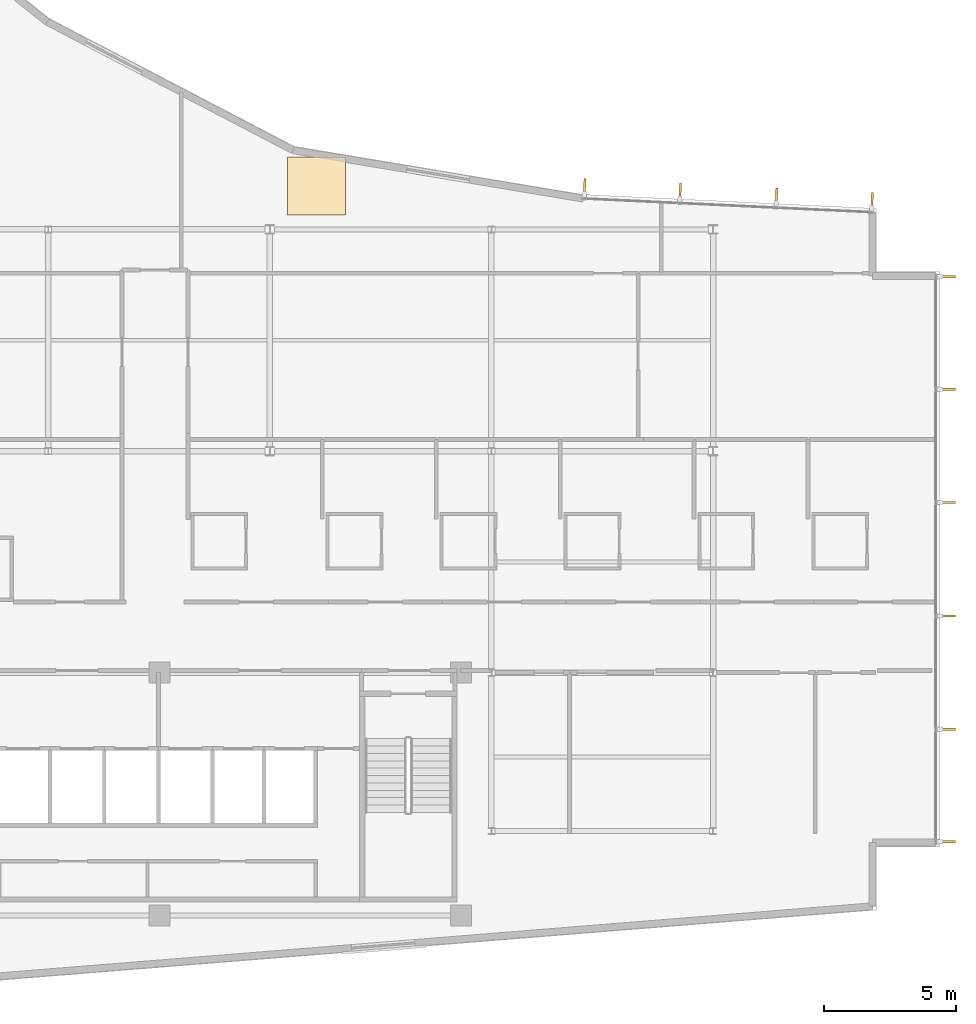
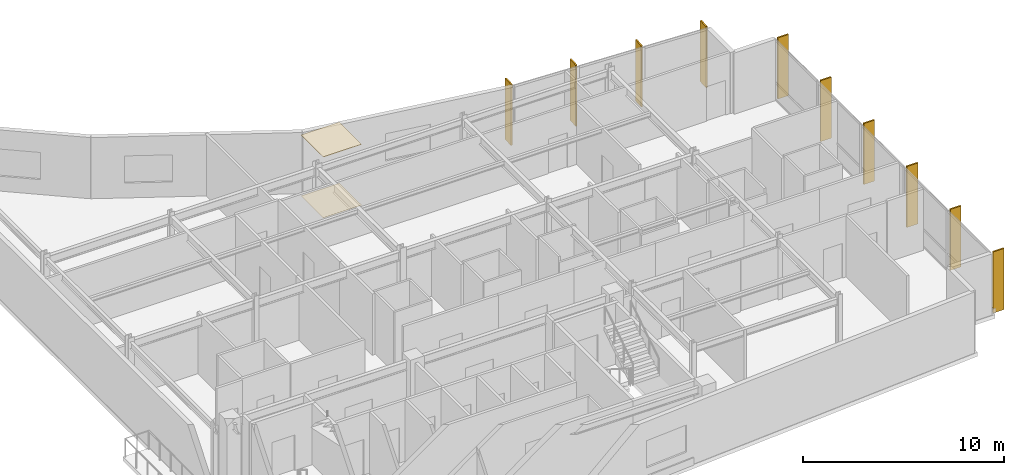
# One storey, part 15 of 16: 10 shading devices, 2 coverings.
"""IFC4 building model written with IfcOpenShell, lengths in metres."""

from ifc_helpers import new_model, si_unit, direction, frame, origin, origin_2d, place, context, subcontext, project, spatial, rectangle, extrude, material, layer, layer_set, type_object, element, save


model = new_model("IFC4")

# Units and contexts
model_context = context("Model", 3, precision=1e-05, world=origin(), true_north=direction((0.0, 1.0)))
body_context = subcontext(model_context, "Body", "Model", "MODEL_VIEW")
ifc_project = project(units=[si_unit("LENGTHUNIT", "METRE"), si_unit("AREAUNIT", "SQUARE_METRE"), si_unit("VOLUMEUNIT", "CUBIC_METRE"), si_unit("PLANEANGLEUNIT", "RADIAN"), si_unit("MASSUNIT", "GRAM", prefix="KILO")], contexts=[model_context])

# Site, building, storey
site_placement = place(None, origin())
site = spatial("IfcSite", under=ifc_project, at=site_placement, CompositionType="ELEMENT")
building_placement = place(site_placement, origin())
building = spatial("IfcBuilding", under=site, at=building_placement, Name="Varnakote Quay Hospital", CompositionType="ELEMENT")
storey_placement = place(building_placement, frame((0.0, 0.0, 260.5)))
storey = spatial("IfcBuildingStorey", under=building, at=storey_placement, Name="L64", CompositionType="ELEMENT", Elevation=260.5)

# Coverings
ifc_material_1 = material(Name="Antimicrobial acoustic mineral ceiling tile", Category="gypsum")
ifc_layer_1 = layer(ifc_material_1, 0.02490234375)
ifc_layer_set_1 = layer_set([ifc_layer_1], Name="Antimicrobial acoustic mineral ceiling tile")
covering_type_1 = type_object("IfcCoveringType", Name="COV-CLIN-CEIL-25", PredefinedType="CEILING", material=ifc_layer_set_1)
covering_1_placement = place(storey_placement, frame((18.56494140625, 30.44189453125, 3.68505859375), z_axis=(0.0, 0.0, 1.0), x_axis=(1.0, 0.0, 0.0)))
element("IfcCovering", 1, at=covering_1_placement, inside=storey, type_object=covering_type_1, Name="L64 Antimicrobial Acoustic Ceiling Tile", PredefinedType="CEILING", context=body_context, shape_type="SweptSolid", body=[
    extrude(rectangle(XDim=2.199951171875, YDim=2.199951171875, at=origin_2d()), origin(), (0.0, 0.0, 1.0), 0.02490234375),
])
ifc_material_2 = material(Name="Seamless clinical sheet vinyl flooring")
ifc_layer_2 = layer(ifc_material_2, 0.011962890625)
ifc_layer_set_2 = layer_set([ifc_layer_2], Name="Seamless clinical sheet vinyl flooring")
covering_type_2 = type_object("IfcCoveringType", Name="COV-CLIN-VINYL-12", PredefinedType="FLOORING", material=ifc_layer_set_2)
covering_2_placement = place(storey_placement, frame((18.56494140625, 30.44189453125, 0.0), z_axis=(0.0, 0.0, 1.0), x_axis=(1.0, 0.0, 0.0)))
element("IfcCovering", 2, at=covering_2_placement, inside=storey, type_object=covering_type_2, Name="L64 Seamless Clinical Vinyl Flooring", PredefinedType="FLOORING", context=body_context, shape_type="SweptSolid", body=[
    extrude(rectangle(XDim=2.199951171875, YDim=2.199951171875, at=origin_2d()), origin(), (0.0, 0.0, 1.0), 0.011962890625),
])

# Shading devices
ifc_material_3 = material(Name="Anodised aluminium 6063-T6 Bronze", Category="aluminium")
ifc_layer_3 = layer(ifc_material_3, 0.0849609375)
ifc_layer_set_3 = layer_set([ifc_layer_3], Name="Anodised aluminium 6063-T6 Bronze")
shading_device_type = type_object("IfcShadingDeviceType", Name="SHD-BRONZE-FIN-620", PredefinedType="USERDEFINED", material=ifc_layer_set_3)
for number, where, z_axis, x_axis, name in (
    (3, (42.489990234375, 5.592529296875, 0.0), (0.0, 0.0, 1.0), (-1.0, 0.0, 0.0), "L64 Anodised Bronze Vertical Shading FIN"),
    (4, (42.489990234375, 9.85595703125, 0.0), (0.0, 0.0, 1.0), (-1.0, 0.0, 0.0), "L64 Anodised Bronze Vertical Shading FIN"),
    (5, (42.489990234375, 14.152099609375, 0.0), (0.0, 0.0, 1.0), (-1.0, 0.0, 0.0), "L64 Anodised Bronze Vertical Shading FIN"),
    (6, (42.489990234375, 18.447998046875, 0.0), (0.0, 0.0, 1.0), (-1.0, 0.0, 0.0), "L64 Anodised Bronze Vertical Shading FIN"),
    (7, (42.489990234375, 22.743896484375, 0.0), (0.0, 0.0, 1.0), (-1.0, 0.0, 0.0), "L64 Anodised Bronze Vertical Shading FIN"),
    (8, (42.489990234375, 27.007568359375, 0.0), (0.0, 0.0, 1.0), (-1.0, 0.0, 0.0), "L64 Anodised Bronze Vertical Shading FIN"),
    (9, (39.62890625, 29.8984375, 0.0), (0.0, 0.0, 1.0), (-0.047455126176, -0.998873370853, 0.0), "L64 Anodised Bronze Vertical Shading FIN"),
    (10, (36.0078125, 30.070556640625, 0.0), (0.0, 0.0, 1.0), (-0.047455126176, -0.998873370853, 0.0), "L64 Anodised Bronze Vertical Shading FIN"),
    (11, (32.35400390625, 30.244384765625, 0.0), (0.0, 0.0, 1.0), (-0.047455126176, -0.998873370853, 0.0), "L64 Anodised Bronze Vertical Shading FIN"),
    (12, (28.73291015625, 30.41650390625, 0.0), (0.0, 0.0, 1.0), (-0.047455126176, -0.998873370853, 0.0), "L64 Anodised Bronze Vertical Shading FIN"),
):
    element("IfcShadingDevice", number, at=place(storey_placement, frame(where, z_axis=z_axis, x_axis=x_axis)), inside=storey, type_object=shading_device_type, Name=name, ObjectType="FIN", PredefinedType="USERDEFINED", context=body_context, shape_type="SweptSolid", body=[
        extrude(rectangle(XDim=0.6201171875, YDim=0.0849609375, at=origin_2d()), origin(), (0.0, 0.0, 1.0), 3.7099609375),
    ])

save(model, "model.ifc")
